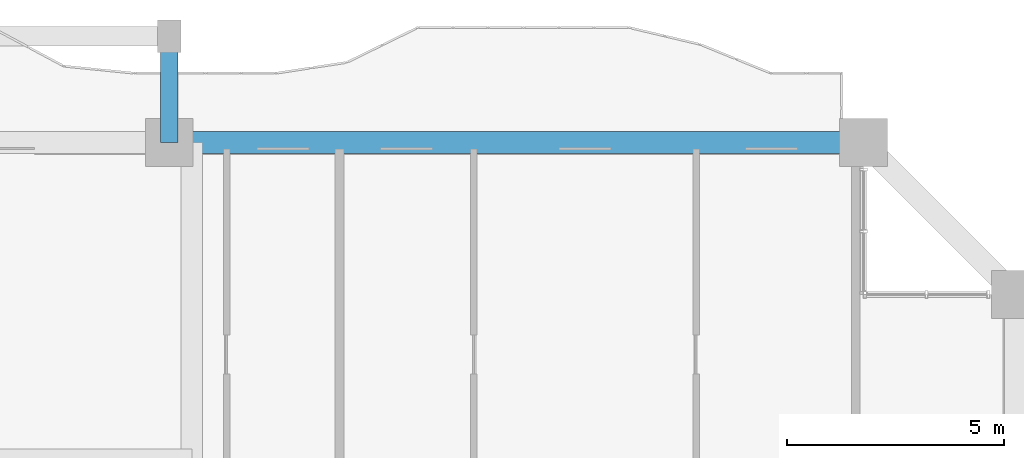
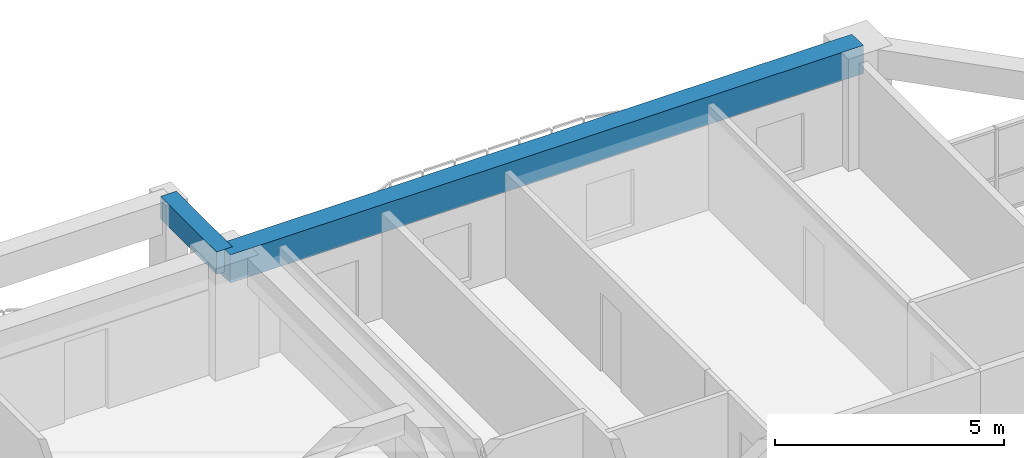
# One storey, part 11 of 28: 2 beams.
"""IFC4 building model written with IfcOpenShell, lengths in metres."""

import ifcopenshell
import ifcopenshell.guid

model = None  # the IFC model being written
_history = None  # IfcOwnerHistory: only IFC2X3 demands one
_inside = {}  # id of a spatial element -> (the spatial element, [elements in it])
_under = {}  # id of a project, library or spatial element -> (it, [spatial elements below it])
_declared = {}  # id of a project -> (the project, [libraries it declares])
_typed = {}  # id of a type object -> (the type object, [elements of that type])
_made_of = {}  # id of a material, layer set ... -> (it, [elements and type objects made of it])


def new_model(schema):
    """Start an empty IFC model of exactly this schema.

    Asked for "IFC4X3", IfcOpenShell would pick the latest addendum, in which some entities
    have other attributes; the version numbers below select the first issue.
    IFC2X3 requires an IfcOwnerHistory on every rooted entity: one is made here for all.
    """
    global model, _history
    if schema == "IFC4X3":
        model = ifcopenshell.file(schema_version=(4, 3, 0, 0))
    else:
        model = ifcopenshell.file(schema=schema)
    _inside.clear()
    _under.clear()
    _declared.clear()
    _typed.clear()
    _made_of.clear()
    _history = None
    if model.schema == "IFC2X3":
        org = make("IfcOrganization", Name="unknown")
        user = make(
            "IfcPersonAndOrganization",
            ThePerson=make("IfcPerson", FamilyName="unknown"),
            TheOrganization=org,
        )
        app = make(
            "IfcApplication",
            ApplicationDeveloper=org,
            Version="unknown",
            ApplicationFullName="unknown",
            ApplicationIdentifier="unknown",
        )
        _history = make(
            "IfcOwnerHistory",
            OwningUser=user,
            OwningApplication=app,
            ChangeAction="ADDED",
            CreationDate=0,
        )
    return model


def make(cls, **values):
    """One entity of the class cls with the attributes given. An attribute that is None is left unset."""
    return model.create_entity(
        cls, **{name: value for name, value in values.items() if value is not None}
    )


def rooted(cls, **values):
    """An entity with a GlobalId (a new one), such as an element, a storey or a relation."""
    return make(cls, GlobalId=ifcopenshell.guid.new(), OwnerHistory=_history, **values)


def si_unit(unit_type, name, prefix=None):
    """IfcSIUnit, for example si_unit("LENGTHUNIT", "METRE", prefix="MILLI")."""
    return make("IfcSIUnit", UnitType=unit_type, Prefix=prefix, Name=name)


def assignment(units):
    """IfcUnitAssignment: the units of a project."""
    return None if units is None else make("IfcUnitAssignment", Units=units)


def point(xyz):
    """IfcCartesianPoint."""
    return None if xyz is None else make("IfcCartesianPoint", Coordinates=xyz)


def direction(xyz):
    """IfcDirection."""
    return None if xyz is None else make("IfcDirection", DirectionRatios=xyz)


def frame(location, z_axis=None, x_axis=None):
    """IfcAxis2Placement3D, a coordinate frame: its origin and axes. An axis left out is left unset."""
    return make(
        "IfcAxis2Placement3D",
        Location=point(location),
        Axis=direction(z_axis),
        RefDirection=direction(x_axis),
    )


def frame_2d(location, x_axis=None):
    """IfcAxis2Placement2D, a coordinate frame in the plane: its origin and x axis."""
    return make(
        "IfcAxis2Placement2D", Location=point(location), RefDirection=direction(x_axis)
    )


def origin():
    """The frame at (0, 0, 0) with its axes left unset."""
    return frame((0.0, 0.0, 0.0))


def origin_2d():
    """The frame at (0, 0) in the plane with its x axis left unset."""
    return frame_2d((0.0, 0.0))


def place(relative_to, where):
    """IfcLocalPlacement: puts the frame where relative to a parent placement (None: the world)."""
    return make(
        "IfcLocalPlacement", PlacementRelTo=relative_to, RelativePlacement=where
    )


def context(
    kind, dimensions, precision=None, world=None, true_north=None, identifier=None
):
    """IfcGeometricRepresentationContext, for example the 3D "Model" context."""
    return make(
        "IfcGeometricRepresentationContext",
        ContextIdentifier=identifier,
        ContextType=kind,
        CoordinateSpaceDimension=dimensions,
        Precision=precision,
        WorldCoordinateSystem=world,
        TrueNorth=true_north,
    )


def subcontext(parent, identifier, kind, view, scale=None):
    """IfcGeometricRepresentationSubContext, for example "Body" below "Model"."""
    return make(
        "IfcGeometricRepresentationSubContext",
        ContextIdentifier=identifier,
        ContextType=kind,
        ParentContext=parent,
        TargetScale=scale,
        TargetView=view,
    )


def project(units=None, contexts=None):
    """IfcProject with its units and contexts."""
    return rooted(
        "IfcProject",
        Name="project",
        RepresentationContexts=contexts,
        UnitsInContext=assignment(units),
    )


def spatial(cls, under=None, at=None, **own):
    """A site, building, storey or space (cls), placed at a placement, below another one or the project."""
    s = rooted(cls, ObjectPlacement=at, **own)
    if under is not None:
        _under.setdefault(under.id(), (under, []))[1].append(s)
    return s


def profile(cls, at=None, kind="AREA", **sizes):
    """A parametric profile (cls). Its sizes go by their IFC names, for example OverallWidth=200.0."""
    return make(cls, ProfileType=kind, Position=at, **sizes)


def rectangle(**sizes):
    """IfcRectangleProfileDef."""
    return profile("IfcRectangleProfileDef", **sizes)


def extrude(swept, where, along, depth):
    """IfcExtrudedAreaSolid: the profile swept, set in the frame where, extruded along a direction by depth."""
    return make(
        "IfcExtrudedAreaSolid",
        SweptArea=swept,
        Position=where,
        ExtrudedDirection=direction(along),
        Depth=depth,
    )


def shape(context_of_items, identifier, shape_type, items):
    """IfcShapeRepresentation: the items that make up one representation, for example the "Body"."""
    return make(
        "IfcShapeRepresentation",
        ContextOfItems=context_of_items,
        RepresentationIdentifier=identifier,
        RepresentationType=shape_type,
        Items=items,
    )


def source(mapping_origin, context_of_items, identifier, shape_type, items):
    """IfcRepresentationMap: a shape defined once, which mapped items show again and again."""
    return make(
        "IfcRepresentationMap",
        MappingOrigin=mapping_origin,
        MappedRepresentation=shape(context_of_items, identifier, shape_type, items),
    )


def transform(
    local_origin,
    x_axis=None,
    y_axis=None,
    z_axis=None,
    scale=None,
    scale2=None,
    scale3=None,
    uniform=True,
):
    """IfcCartesianTransformationOperator3D, or its non-uniform kind. x_axis, y_axis, z_axis: its Axis1, 2, 3."""
    if uniform:
        return make(
            "IfcCartesianTransformationOperator3D",
            Axis1=direction(x_axis),
            Axis2=direction(y_axis),
            LocalOrigin=point(local_origin),
            Scale=scale,
            Axis3=direction(z_axis),
        )
    return make(
        "IfcCartesianTransformationOperator3DnonUniform",
        Axis1=direction(x_axis),
        Axis2=direction(y_axis),
        LocalOrigin=point(local_origin),
        Scale=scale,
        Axis3=direction(z_axis),
        Scale2=scale2,
        Scale3=scale3,
    )


def mapped(mapping_source, mapping_target):
    """IfcMappedItem: shows the shape of a source again, moved by a transform."""
    return make(
        "IfcMappedItem", MappingSource=mapping_source, MappingTarget=mapping_target
    )


def material(Name=None, Category=None):
    """IfcMaterial."""
    return make("IfcMaterial", Name=Name, Category=Category)


def material_profile(
    of_material, cross_section, Name=None, Category=None, Priority=None
):
    """IfcMaterialProfile: a cross section and its material."""
    return make(
        "IfcMaterialProfile",
        Name=Name,
        Material=of_material,
        Profile=cross_section,
        Priority=Priority,
        Category=Category,
    )


def profile_set(profiles, Name=None, composite=None):
    """IfcMaterialProfileSet."""
    return make(
        "IfcMaterialProfileSet",
        Name=Name,
        MaterialProfiles=profiles,
        CompositeProfile=composite,
    )


def made_of(thing, what):
    """Note that an element or type object is made of a material, layer set ...; save() writes the relation."""
    if what is not None:
        _made_of.setdefault(what.id(), (what, []))[1].append(thing)
    return thing


def type_object(cls, material=None, **own):
    """A type object (cls), such as IfcWallType, which elements share."""
    return made_of(rooted(cls, **own), material)


def element(
    cls,
    number,
    at=None,
    inside=None,
    cuts=None,
    type_object=None,
    material=None,
    context=None,
    identifier="Body",
    shape_type=None,
    held_by="IfcProductDefinitionShape",
    body=None,
    shapes=None,
    **own,
):
    """One element of the class cls, such as IfcWall. Its Tag is "e" and its number.

    at: its placement. inside: the storey or other place that contains it. cuts: it is an
    opening in that element (IfcRelVoidsElement). A single representation is given by context,
    identifier, shape_type and body (its items); several are given by shapes. held_by: the class
    of the entity that holds the representations. save() writes the other relations.
    """
    e = rooted(cls, Tag="e%d" % number, ObjectPlacement=at, **own)
    if body is not None:
        shapes = [shape(context, identifier, shape_type, body)]
    if shapes is not None:
        e.Representation = make(held_by, Representations=shapes)
    if inside is not None:
        _inside.setdefault(inside.id(), (inside, []))[1].append(e)
    if cuts is not None:
        rooted(
            "IfcRelVoidsElement", RelatingBuildingElement=cuts, RelatedOpeningElement=e
        )
    if type_object is not None:
        _typed.setdefault(type_object.id(), (type_object, []))[1].append(e)
    return made_of(e, material)


def aggregate(whole, parts):
    """IfcRelAggregates: a whole, such as a stair, and the parts it consists of."""
    return rooted("IfcRelAggregates", RelatingObject=whole, RelatedObjects=parts)


def save(model, path):
    """Write the relations noted so far, then the file.

    IfcRelAggregates (storeys below a building ...), IfcRelContainedInSpatialStructure (elements
    in a storey), IfcRelDefinesByType, IfcRelAssociatesMaterial and IfcRelDeclares: one each for
    every whole, place, type object, material and project.
    """
    for whole, parts in _under.values():
        aggregate(whole, parts)
    for where, things in _inside.values():
        rooted(
            "IfcRelContainedInSpatialStructure",
            RelatedElements=things,
            RelatingStructure=where,
        )
    for kind, things in _typed.values():
        rooted("IfcRelDefinesByType", RelatedObjects=things, RelatingType=kind)
    for what, things in _made_of.values():
        rooted("IfcRelAssociatesMaterial", RelatedObjects=things, RelatingMaterial=what)
    for by, libraries in _declared.values():
        rooted("IfcRelDeclares", RelatingContext=by, RelatedDefinitions=libraries)
    model.write(path)


model = new_model("IFC4")

# Units and contexts
model_context = context("Model", 3, precision=1e-05, world=origin(), true_north=direction((0.0, 1.0)))
body_context = subcontext(model_context, "Body", "Model", "MODEL_VIEW")
ifc_project = project(units=[si_unit("LENGTHUNIT", "METRE"), si_unit("AREAUNIT", "SQUARE_METRE"), si_unit("VOLUMEUNIT", "CUBIC_METRE"), si_unit("PLANEANGLEUNIT", "RADIAN"), si_unit("MASSUNIT", "GRAM", prefix="KILO")], contexts=[model_context])

# Site, building, storey
site_placement = place(None, origin())
site = spatial("IfcSite", under=ifc_project, at=site_placement, CompositionType="ELEMENT")
building_placement = place(site_placement, origin())
building = spatial("IfcBuilding", under=site, at=building_placement, Name="Saelheon Loggia Tower", CompositionType="ELEMENT")
storey_placement = place(building_placement, frame((0.0, 0.0, 61.39990234375)))
storey = spatial("IfcBuildingStorey", under=building, at=storey_placement, Name="L19", CompositionType="ELEMENT", Elevation=61.39990234375)

# Beams
ifc_material_1 = material(Name="Concrete C45/55", Category="concrete")
ifc_material_profile_1 = material_profile(ifc_material_1, rectangle(XDim=0.5, YDim=0.75, at=origin_2d()), Name="RC-500x750")
ifc_profile_set_1 = profile_set([ifc_material_profile_1], Name="Concrete C45/55")
beam_type_1 = type_object("IfcBeamType", Name="Beam_PerimGirder_RC500x750", PredefinedType="BEAM", material=ifc_profile_set_1)
shared_shape_1 = source(origin(), body_context, "Body", "SweptSolid", [
    extrude(rectangle(XDim=0.5, YDim=0.75, at=origin_2d()), origin(), (0.0, 0.0, 1.0), 16.0),
])
beam_1_placement = place(storey_placement, frame((60.5, 51.0, 2.625), z_axis=(-1.0, 0.0, 0.0), x_axis=(0.0, -1.0, 0.0)))
element("IfcBeam", 1, at=beam_1_placement, inside=storey, type_object=beam_type_1, Name="L19 Perimeter Frame Girder 09", PredefinedType="BEAM", context=body_context, shape_type="MappedRepresentation", body=[
    mapped(shared_shape_1, transform((0.0, 0.0, 0.0), scale=1.0)),
])
ifc_material_2 = material(Name="Precast Concrete C45/55", Category="concrete")
ifc_material_profile_2 = material_profile(ifc_material_2, rectangle(XDim=0.39990234375, YDim=0.60009765625, at=origin_2d()), Name="RC-400x600")
ifc_profile_set_2 = profile_set([ifc_material_profile_2], Name="Precast Concrete C45/55")
beam_type_2 = type_object("IfcBeamType", Name="Beam_LoggiaTie_RC400x600", PredefinedType="BEAM", material=ifc_profile_set_2)
shared_shape_2 = source(origin(), body_context, "Body", "SweptSolid", [
    extrude(rectangle(XDim=0.39990234375, YDim=0.60009765625, at=origin_2d()), origin(), (0.0, 0.0, 1.0), 2.449951171875),
])
beam_2_placement = place(storey_placement, frame((44.5, 51.0, 2.7001953125), z_axis=(0.0, 1.0, 0.0), x_axis=(-1.0, 0.0, 0.0)))
element("IfcBeam", 2, at=beam_2_placement, inside=storey, type_object=beam_type_2, Name="L19 Loggia Frame Tie Beam LP-N2", PredefinedType="BEAM", context=body_context, shape_type="MappedRepresentation", body=[
    mapped(shared_shape_2, transform((0.0, 0.0, 0.0), scale=1.0)),
])

save(model, "model.ifc")
